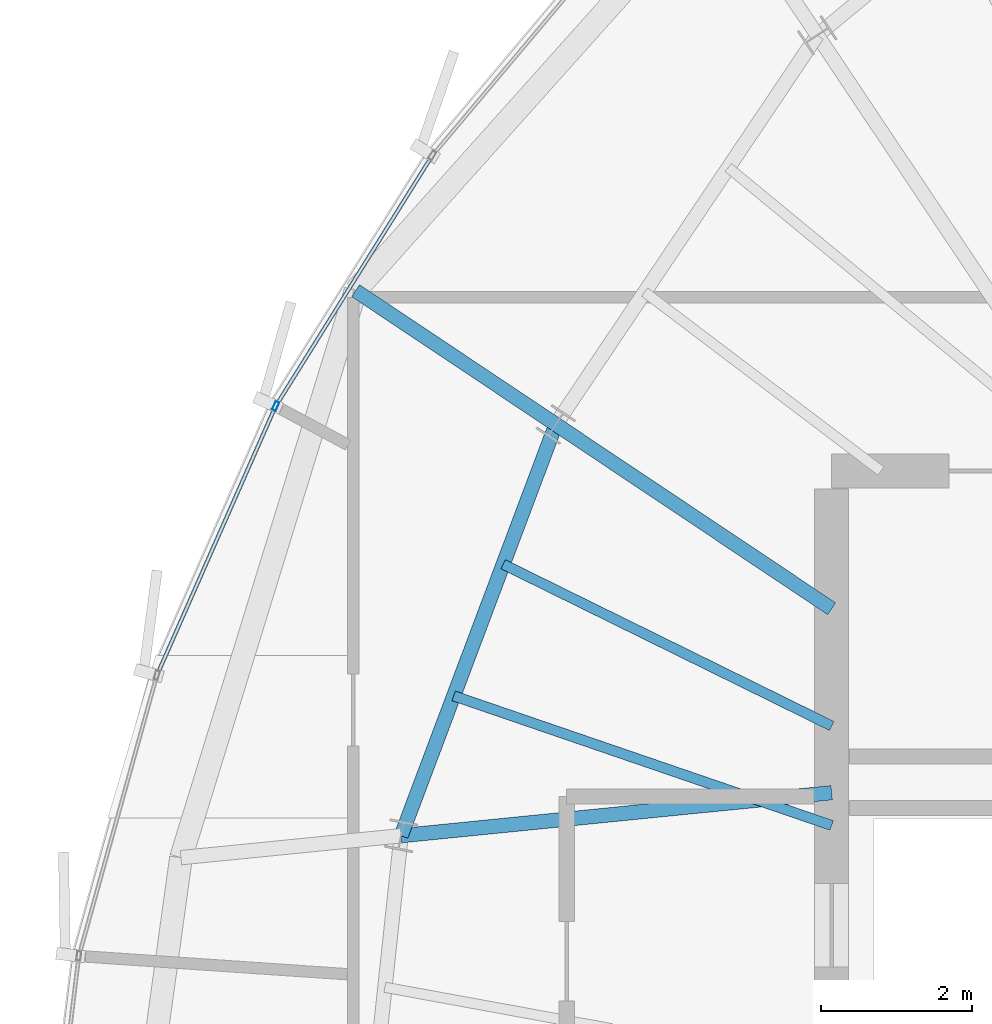
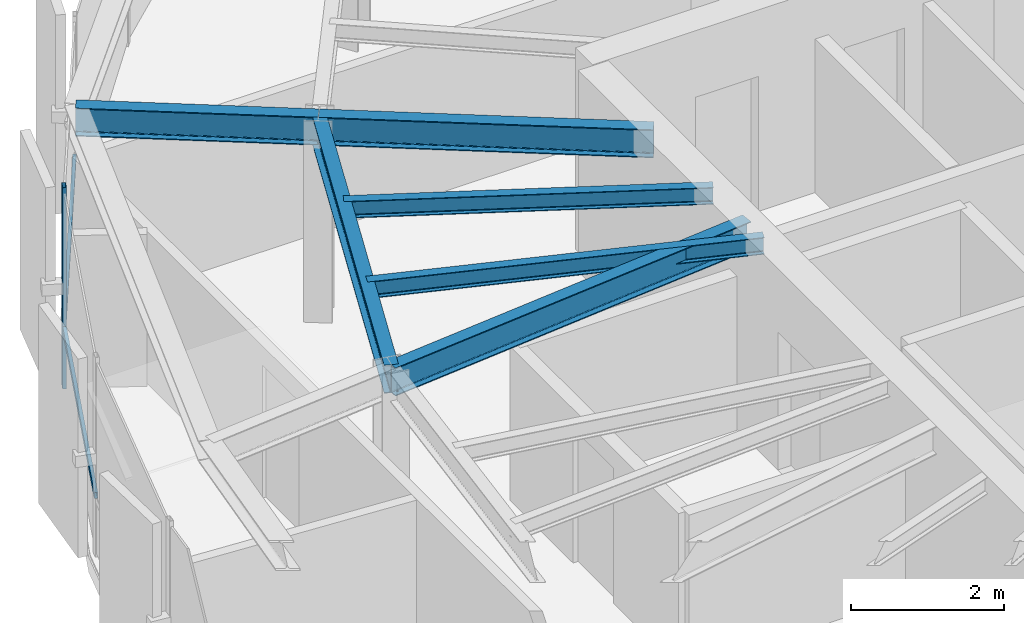
# One storey, part 12 of 31: 6 beams, 3 members, 1 element without a shape of its own.
"""IFC4 building model written with IfcOpenShell, lengths in metres."""

from ifc_helpers import new_model, si_unit, direction, frame, origin, origin_2d, place, context, subcontext, project, spatial, hollow_rectangle, i_section, extrude, source, transform, mapped, material, layer, layer_set, material_profile, profile_set, type_object, element, aggregate, save


model = new_model("IFC4")

# Units and contexts
model_context = context("Model", 3, precision=1e-05, world=origin(), true_north=direction((0.0, 1.0)))
body_context = subcontext(model_context, "Body", "Model", "MODEL_VIEW")
ifc_project = project(units=[si_unit("LENGTHUNIT", "METRE"), si_unit("AREAUNIT", "SQUARE_METRE"), si_unit("VOLUMEUNIT", "CUBIC_METRE"), si_unit("PLANEANGLEUNIT", "RADIAN"), si_unit("MASSUNIT", "GRAM", prefix="KILO"), si_unit("THERMODYNAMICTEMPERATUREUNIT", "KELVIN")], contexts=[model_context])

# Site, building, storey
site_placement = place(None, origin())
site = spatial("IfcSite", under=ifc_project, at=site_placement, CompositionType="ELEMENT")
building_placement = place(site_placement, origin())
building = spatial("IfcBuilding", under=site, at=building_placement, Name="Kethvar Cultural Tower", CompositionType="ELEMENT")
storey_placement = place(building_placement, frame((0.0, 0.0, 283.60009765625)))
storey = spatial("IfcBuildingStorey", under=building, at=storey_placement, Name="L75", CompositionType="ELEMENT", Elevation=283.60009765625)

# Beams
ifc_material_1 = material(Name="Steel S355J2", Category="steel")
ifc_material_profile_1 = material_profile(ifc_material_1, i_section(OverallWidth=0.18994140625, OverallDepth=0.449951171875, WebThickness=0.009521484375, FlangeThickness=0.0146484375, FilletRadius=0.02099609375, at=origin_2d()), Name="Steel S355J2 — IPE450")
ifc_profile_set_1 = profile_set([ifc_material_profile_1], Name="Steel S355J2 — IPE450")
beam_type_1 = type_object("IfcBeamType", Name="BM-IPE450", PredefinedType="BEAM", material=ifc_profile_set_1)
shared_shape_1 = source(origin(), body_context, "Body", "SweptSolid", [
    extrude(i_section(OverallWidth=0.18994140625, OverallDepth=0.449951171875, WebThickness=0.009521484375, FlangeThickness=0.0146484375, FilletRadius=0.02099609375, at=origin_2d()), origin(), (0.0, 0.0, 1.0), 4.3828125),
])
beam_1_placement = place(storey_placement, frame((38.0, 33.679931640625, 2.98291015625), z_axis=(-0.831449909861, 0.555599718676, 0.0), x_axis=(-0.555599718676, -0.831449909861, 0.0)))
element("IfcBeam", 1, at=beam_1_placement, inside=storey, type_object=beam_type_1, Name="L75 Primary Radial Beam RB-07", PredefinedType="BEAM", context=body_context, shape_type="MappedRepresentation", body=[
    mapped(shared_shape_1, transform((0.0, 0.0, 0.0), scale=1.0)),
])
shared_shape_2 = source(origin(), body_context, "Body", "SweptSolid", [
    extrude(i_section(OverallWidth=0.18994140625, OverallDepth=0.449951171875, WebThickness=0.009521484375, FlangeThickness=0.0146484375, FilletRadius=0.02099609375, at=origin_2d()), origin(), (0.0, 0.0, 1.0), 5.7158203125),
])
beam_2_placement = place(storey_placement, frame((38.0, 31.25, 2.98291015625), z_axis=(-0.995048179628, -0.099393763478, 0.0), x_axis=(0.099393763478, -0.995048179628, 0.0)))
element("IfcBeam", 2, at=beam_2_placement, inside=storey, type_object=beam_type_1, Name="L75 Primary Radial Beam RB-08", PredefinedType="BEAM", context=body_context, shape_type="MappedRepresentation", body=[
    mapped(shared_shape_2, transform((0.0, 0.0, 0.0), scale=1.0)),
])
shared_shape_3 = source(origin(), body_context, "Body", "SweptSolid", [
    extrude(i_section(OverallWidth=0.18994140625, OverallDepth=0.449951171875, WebThickness=0.009521484375, FlangeThickness=0.0146484375, FilletRadius=0.02099609375, at=origin_2d()), origin(), (0.0, 0.0, 1.0), 5.8046875),
])
beam_3_placement = place(storey_placement, frame((34.35595703125, 36.114990234375, 2.98291015625), z_axis=(-0.352035902861, -0.935986497283, 0.0), x_axis=(0.935986497283, -0.352035902861, 0.0)))
element("IfcBeam", 3, at=beam_3_placement, inside=storey, type_object=beam_type_1, Name="L75 Column Ring Tie Beam CR-07", PredefinedType="BEAM", context=body_context, shape_type="MappedRepresentation", body=[
    mapped(shared_shape_3, transform((0.0, 0.0, 0.0), scale=1.0)),
])
ifc_material_profile_2 = material_profile(ifc_material_1, i_section(OverallWidth=0.135009765625, OverallDepth=0.27001953125, WebThickness=0.006591796875, FlangeThickness=0.01025390625, FilletRadius=0.014892578125, at=origin_2d()), Name="Steel S355J2 — IPE270")
ifc_profile_set_2 = profile_set([ifc_material_profile_2], Name="Steel S355J2 — IPE270")
beam_type_2 = type_object("IfcBeamType", Name="BM-J270", PredefinedType="JOIST", material=ifc_profile_set_2)
shared_shape_4 = source(origin(), body_context, "Body", "SweptSolid", [
    extrude(i_section(OverallWidth=0.135009765625, OverallDepth=0.27001953125, WebThickness=0.006591796875, FlangeThickness=0.01025390625, FilletRadius=0.014892578125, at=origin_2d()), origin(), (0.0, 0.0, 1.0), 4.8359375),
])
beam_4_placement = place(storey_placement, frame((38.0, 32.1318359375, 3.072998046875), z_axis=(-0.897196527088, 0.441631511308, 0.0), x_axis=(-0.441631511308, -0.897196527088, 0.0)))
element("IfcBeam", 4, at=beam_4_placement, inside=storey, type_object=beam_type_2, Name="L75 Composite Floor Joist J-07A", PredefinedType="JOIST", context=body_context, shape_type="MappedRepresentation", body=[
    mapped(shared_shape_4, transform((0.0, 0.0, 0.0), scale=1.0)),
])
shared_shape_5 = source(origin(), body_context, "Body", "SweptSolid", [
    extrude(i_section(OverallWidth=0.135009765625, OverallDepth=0.27001953125, WebThickness=0.006591796875, FlangeThickness=0.01025390625, FilletRadius=0.014892578125, at=origin_2d()), origin(), (0.0, 0.0, 1.0), 5.2783203125),
])
beam_5_placement = place(storey_placement, frame((38.0, 30.817138671875, 3.072998046875), z_axis=(-0.945942702368, 0.324333784607, 0.0), x_axis=(-0.324333784607, -0.945942702368, 0.0)))
element("IfcBeam", 5, at=beam_5_placement, inside=storey, type_object=beam_type_2, Name="L75 Composite Floor Joist J-07B", PredefinedType="JOIST", context=body_context, shape_type="MappedRepresentation", body=[
    mapped(shared_shape_5, transform((0.0, 0.0, 0.0), scale=1.0)),
])
shared_shape_6 = source(origin(), body_context, "Body", "SweptSolid", [
    extrude(i_section(OverallWidth=0.18994140625, OverallDepth=0.449951171875, WebThickness=0.009521484375, FlangeThickness=0.0146484375, FilletRadius=0.02099609375, at=origin_2d()), origin(), (0.0, 0.0, 1.0), 3.1806640625),
])
beam_6_placement = place(storey_placement, frame((34.35595703125, 36.114990234375, 2.98291015625), z_axis=(-0.831518511566, 0.555497043128, 0.0), x_axis=(-0.555497043128, -0.831518511566, 0.0)))
element("IfcBeam", 6, at=beam_6_placement, inside=storey, type_object=beam_type_1, Name="L75 Perimeter Cantilever Beam RC-07", PredefinedType="BEAM", context=body_context, shape_type="MappedRepresentation", body=[
    mapped(shared_shape_6, transform((0.0, 0.0, 0.0), scale=1.0)),
])

# Curtain wall, members
ifc_material_2 = material(Name="Aluminium 6063-T6", Category="aluminium")
ifc_layer = layer(ifc_material_2, 0.179931640625, Name="Aluminium 6063-T6", Category="aluminium")
ifc_layer_set = layer_set([ifc_layer], Name="Aluminium 6063-T6 (180 mm)")
curtain_wall_type = type_object("IfcCurtainWallType", Name="CW-SYS-05-Z56", PredefinedType="NOTDEFINED", material=ifc_layer_set)
curtain_wall_placement = place(storey_placement, origin())
curtain_wall = element("IfcCurtainWall", 7, at=curtain_wall_placement, inside=storey, type_object=curtain_wall_type, Name="L75 Curtain Wall Run 02", PredefinedType="NOTDEFINED")
ifc_material_profile_3 = material_profile(ifc_material_2, hollow_rectangle(XDim=0.054931640625, YDim=0.1201171875, WallThickness=0.00390625, at=origin_2d()), Name="Aluminium 6063-T6 — RHS120x55x4")
ifc_profile_set_3 = profile_set([ifc_material_profile_3], Name="Aluminium 6063-T6 — RHS120x55x4")
member_type_1 = type_object("IfcMemberType", Name="CW-SYS-05-Z56-MUL", PredefinedType="MULLION", material=ifc_profile_set_3)
shared_shape_7 = source(origin(), body_context, "Body", "SweptSolid", [
    extrude(hollow_rectangle(XDim=0.054931640625, YDim=0.1201171875, WallThickness=0.00390625, at=origin_2d()), origin(), (0.0, 0.0, 1.0), 3.2099609375),
])
member_1_placement = place(storey_placement, frame((30.655029296875, 36.356201171875, 0.0), z_axis=(0.0, 0.0, 1.0), x_axis=(0.914973753681, -0.403513357989, 0.0)))
member_1 = element("IfcMember", 8, at=member_1_placement, type_object=member_type_1, Name="CW-L75-R02 Mullion 4", PredefinedType="MULLION", context=body_context, shape_type="MappedRepresentation", body=[
    mapped(shared_shape_7, transform((0.0, 0.0, 0.0), scale=1.0)),
])
ifc_material_profile_4 = material_profile(ifc_material_2, hollow_rectangle(XDim=0.050048828125, YDim=0.10009765625, WallThickness=0.00390625, at=origin_2d()), Name="Aluminium 6063-T6 — RHS100x50x4")
ifc_profile_set_4 = profile_set([ifc_material_profile_4], Name="Aluminium 6063-T6 — RHS100x50x4")
member_type_2 = type_object("IfcMemberType", Name="CW-SYS-05-Z56-TRN", PredefinedType="USERDEFINED", material=ifc_profile_set_4)
shared_shape_8 = source(origin(), body_context, "Body", "SweptSolid", [
    extrude(hollow_rectangle(XDim=0.050048828125, YDim=0.10009765625, WallThickness=0.00390625, at=origin_2d()), origin(), (0.0, 0.0, 1.0), 3.83740234375),
])
member_2_placement = place(storey_placement, frame((32.7021484375, 39.632080078125, 0.949951171875), z_axis=(-0.529701536733, -0.848184108542, 0.0), x_axis=(0.848184108542, -0.529701536733, 0.0)))
member_2 = element("IfcMember", 9, at=member_2_placement, type_object=member_type_2, Name="CW-L75-R02 Transom 3", ObjectType="TRANSOM", PredefinedType="USERDEFINED", context=body_context, shape_type="MappedRepresentation", body=[
    mapped(shared_shape_8, transform((0.0, 0.0, 0.0), scale=1.0)),
])
shared_shape_9 = source(origin(), body_context, "Body", "SweptSolid", [
    extrude(hollow_rectangle(XDim=0.050048828125, YDim=0.10009765625, WallThickness=0.00390625, at=origin_2d()), origin(), (0.0, 0.0, 1.0), 3.822265625),
])
member_3_placement = place(storey_placement, frame((30.63916015625, 36.320068359375, 0.949951171875), z_axis=(-0.403541136077, -0.914961502739, 0.0), x_axis=(0.914961502739, -0.403541136077, 0.0)))
member_3 = element("IfcMember", 10, at=member_3_placement, type_object=member_type_2, Name="CW-L75-R02 Transom 4", ObjectType="TRANSOM", PredefinedType="USERDEFINED", context=body_context, shape_type="MappedRepresentation", body=[
    mapped(shared_shape_9, transform((0.0, 0.0, 0.0), scale=1.0)),
])
aggregate(curtain_wall, [member_1, member_2, member_3])

save(model, "model.ifc")
